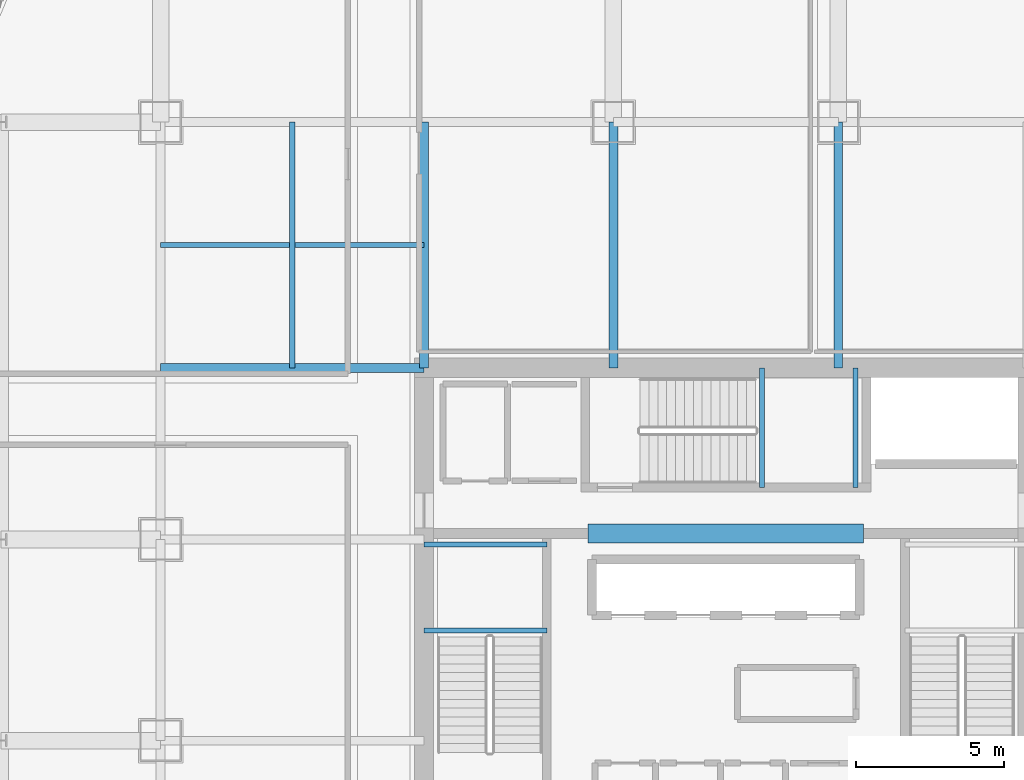
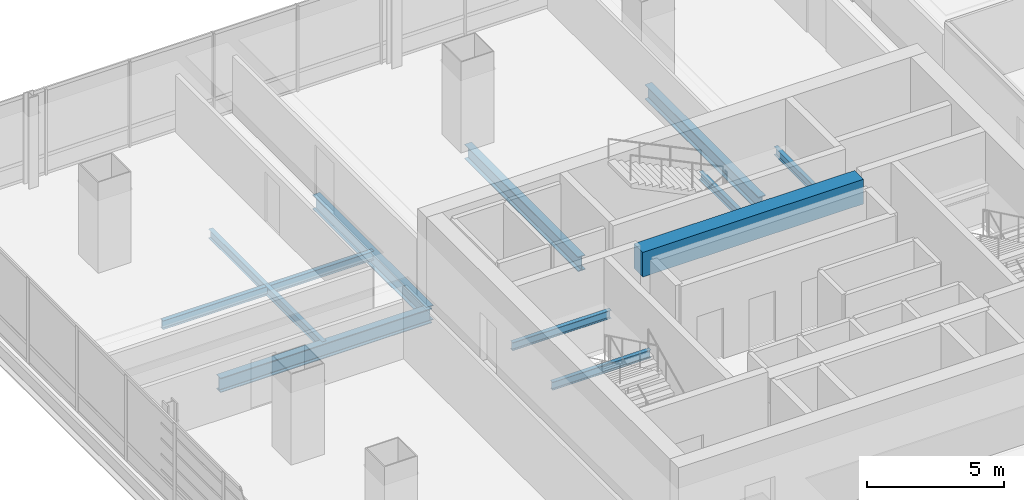
# One storey, part 13 of 38: 11 beams.
"""IFC4 building model written with IfcOpenShell, lengths in metres."""

from ifc_helpers import new_model, si_unit, direction, frame, origin, origin_2d, place, context, subcontext, project, spatial, rectangle, i_section, extrude, material, material_profile, profile_set, type_object, element, save


model = new_model("IFC4")

# Units and contexts
model_context = context("Model", 3, precision=1e-05, world=origin(), true_north=direction((0.0, 1.0)))
body_context = subcontext(model_context, "Body", "Model", "MODEL_VIEW")
ifc_project = project(units=[si_unit("LENGTHUNIT", "METRE"), si_unit("AREAUNIT", "SQUARE_METRE"), si_unit("VOLUMEUNIT", "CUBIC_METRE"), si_unit("PLANEANGLEUNIT", "RADIAN"), si_unit("MASSUNIT", "GRAM", prefix="KILO")], contexts=[model_context])

# Site, building, storey
site_placement = place(None, origin())
site = spatial("IfcSite", under=ifc_project, at=site_placement, CompositionType="ELEMENT")
building_placement = place(site_placement, origin())
building = spatial("IfcBuilding", under=site, at=building_placement, Name="Punatoya Terracotta Tower", CompositionType="ELEMENT")
storey_placement = place(building_placement, frame((0.0, 0.0, 160.050048828125)))
storey = spatial("IfcBuildingStorey", under=building, at=storey_placement, Name="L37", CompositionType="ELEMENT", Elevation=160.050048828125)

# Beams
ifc_material_1 = material(Name="Steel S355", Category="steel")
ifc_material_profile_1 = material_profile(ifc_material_1, i_section(OverallWidth=0.300048828125, OverallDepth=0.64990234375, WebThickness=0.01611328125, FlangeThickness=0.031005859375, FilletRadius=0.01806640625, at=origin_2d()))
ifc_profile_set_1 = profile_set([ifc_material_profile_1], Name="Steel S355")
beam_type_1 = type_object("IfcBeamType", Name="BM-PRI-650", PredefinedType="BEAM", material=ifc_profile_set_1)
beam_1_placement = place(storey_placement, frame((-19.10009765625, 9.199951171875, -0.545166015625), z_axis=(1.0, 0.0, 0.0), x_axis=(0.0, 1.0, 0.0)))
element("IfcBeam", 1, at=beam_1_placement, inside=storey, type_object=beam_type_1, Name="BM-L37-PR-WN", PredefinedType="BEAM", context=body_context, shape_type="SweptSolid", body=[
    extrude(i_section(OverallWidth=0.300048828125, OverallDepth=0.64990234375, WebThickness=0.01611328125, FlangeThickness=0.031005859375, FilletRadius=0.01806640625, at=origin_2d()), origin(), (0.0, 0.0, 1.0), 8.900146484375),
])
for number, where, z_axis, x_axis, name in (
    (2, (-10.199951171875, 9.199951171875, -0.545166015625), (0.0, 1.0, 0.0), (-1.0, 0.0, 0.0), "BM-L37-PR-N1"),
    (3, (-3.800048828125, 9.199951171875, -0.545166015625), (0.0, 1.0, 0.0), (-1.0, 0.0, 0.0), "BM-L37-PR-N2"),
    (4, (3.800048828125, 9.199951171875, -0.545166015625), (0.0, 1.0, 0.0), (-1.0, 0.0, 0.0), "BM-L37-PR-N3"),
):
    element("IfcBeam", number, at=place(storey_placement, frame(where, z_axis=z_axis, x_axis=x_axis)), inside=storey, type_object=beam_type_1, Name=name, PredefinedType="BEAM", context=body_context, shape_type="SweptSolid", body=[
        extrude(i_section(OverallWidth=0.300048828125, OverallDepth=0.64990234375, WebThickness=0.01611328125, FlangeThickness=0.031005859375, FilletRadius=0.01806640625, at=origin_2d()), origin(), (0.0, 0.0, 1.0), 8.300048828125),
    ])
ifc_material_2 = material(Name="Concrete C60/75", Category="concrete")
ifc_material_profile_2 = material_profile(ifc_material_2, rectangle(XDim=0.64990234375, YDim=1.10009765625, at=origin_2d()))
ifc_profile_set_2 = profile_set([ifc_material_profile_2], Name="Concrete C60/75")
beam_type_2 = type_object("IfcBeamType", Name="BM-RC-1100", PredefinedType="LINTEL", material=ifc_profile_set_2)
beam_2_placement = place(storey_placement, frame((-4.64990234375, 3.60009765625, 3.280029296875), z_axis=(1.0, 0.0, 0.0), x_axis=(0.0, 1.0, 0.0)))
element("IfcBeam", 5, at=beam_2_placement, inside=storey, type_object=beam_type_2, Name="L37 Core Coupling Lintel CNW", PredefinedType="LINTEL", context=body_context, shape_type="SweptSolid", body=[
    extrude(rectangle(XDim=0.64990234375, YDim=1.10009765625, at=origin_2d()), origin(), (0.0, 0.0, 1.0), 9.2998046875),
])
ifc_material_profile_3 = material_profile(ifc_material_1, i_section(OverallWidth=0.169921875, OverallDepth=0.360107421875, WebThickness=0.008056640625, FlangeThickness=0.0126953125, FilletRadius=0.01806640625, at=origin_2d()))
ifc_profile_set_3 = profile_set([ifc_material_profile_3], Name="Steel S355")
beam_type_3 = type_object("IfcBeamType", Name="BM-SEC-360", PredefinedType="JOIST", material=ifc_profile_set_3)
for number, where, z_axis, x_axis, name in (
    (6, (-10.199951171875, 0.320068359375, 1.64501953125), (1.0, 0.0, 0.0), (0.0, 1.0, 0.0), "BM-L37-ST-1-LD1A"),
    (7, (-10.199951171875, 3.22998046875, 1.64501953125), (1.0, 0.0, 0.0), (0.0, 1.0, 0.0), "BM-L37-ST-1-LD1B"),
):
    element("IfcBeam", number, at=place(storey_placement, frame(where, z_axis=z_axis, x_axis=x_axis)), inside=storey, type_object=beam_type_3, Name=name, PredefinedType="JOIST", context=body_context, shape_type="SweptSolid", body=[
        extrude(i_section(OverallWidth=0.169921875, OverallDepth=0.360107421875, WebThickness=0.008056640625, FlangeThickness=0.0126953125, FilletRadius=0.01806640625, at=origin_2d()), origin(), (0.0, 0.0, 1.0), 4.14990234375),
    ])
for number, where, z_axis, x_axis, name in (
    (8, (1.219970703125, 5.14990234375, 1.64501953125), (0.0, 1.0, 0.0), (-1.0, 0.0, 0.0), "BM-L37-ST-3-LD1A"),
    (9, (4.3798828125, 5.14990234375, 1.64501953125), (0.0, 1.0, 0.0), (-1.0, 0.0, 0.0), "BM-L37-ST-3-LD1B"),
):
    element("IfcBeam", number, at=place(storey_placement, frame(where, z_axis=z_axis, x_axis=x_axis)), inside=storey, type_object=beam_type_3, Name=name, PredefinedType="JOIST", context=body_context, shape_type="SweptSolid", body=[
        extrude(i_section(OverallWidth=0.169921875, OverallDepth=0.360107421875, WebThickness=0.008056640625, FlangeThickness=0.0126953125, FilletRadius=0.01806640625, at=origin_2d()), origin(), (0.0, 0.0, 1.0), 4.050048828125),
    ])
ifc_material_profile_4 = material_profile(ifc_material_1, i_section(OverallWidth=0.179931640625, OverallDepth=0.39990234375, WebThickness=0.008544921875, FlangeThickness=0.013427734375, FilletRadius=0.01806640625, at=origin_2d()))
ifc_profile_set_4 = profile_set([ifc_material_profile_4], Name="Steel S355")
beam_type_4 = type_object("IfcBeamType", Name="BM-SEC-400", PredefinedType="JOIST", material=ifc_profile_set_4)
beam_3_placement = place(storey_placement, frame((-19.10009765625, 13.35009765625, -0.420166015625), z_axis=(1.0, 0.0, 0.0), x_axis=(0.0, 1.0, 0.0)))
element("IfcBeam", 10, at=beam_3_placement, inside=storey, type_object=beam_type_4, Name="BM-L37-SJN-1", PredefinedType="JOIST", context=body_context, shape_type="SweptSolid", body=[
    extrude(i_section(OverallWidth=0.179931640625, OverallDepth=0.39990234375, WebThickness=0.008544921875, FlangeThickness=0.013427734375, FilletRadius=0.01806640625, at=origin_2d()), origin(), (0.0, 0.0, 1.0), 8.900146484375),
])
beam_4_placement = place(storey_placement, frame((-14.64990234375, 9.199951171875, -0.420166015625), z_axis=(0.0, 1.0, 0.0), x_axis=(-1.0, 0.0, 0.0)))
element("IfcBeam", 11, at=beam_4_placement, inside=storey, type_object=beam_type_4, Name="BM-L37-SJW-2", PredefinedType="JOIST", context=body_context, shape_type="SweptSolid", body=[
    extrude(i_section(OverallWidth=0.179931640625, OverallDepth=0.39990234375, WebThickness=0.008544921875, FlangeThickness=0.013427734375, FilletRadius=0.01806640625, at=origin_2d()), origin(), (0.0, 0.0, 1.0), 8.300048828125),
])

save(model, "model.ifc")
